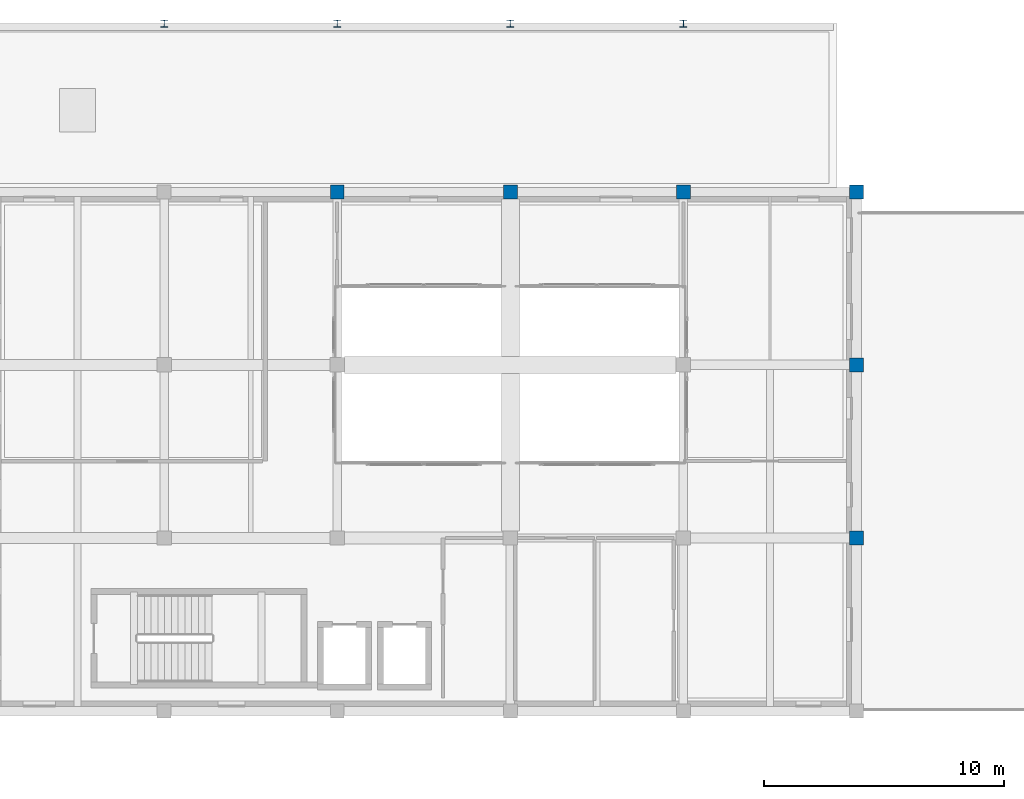
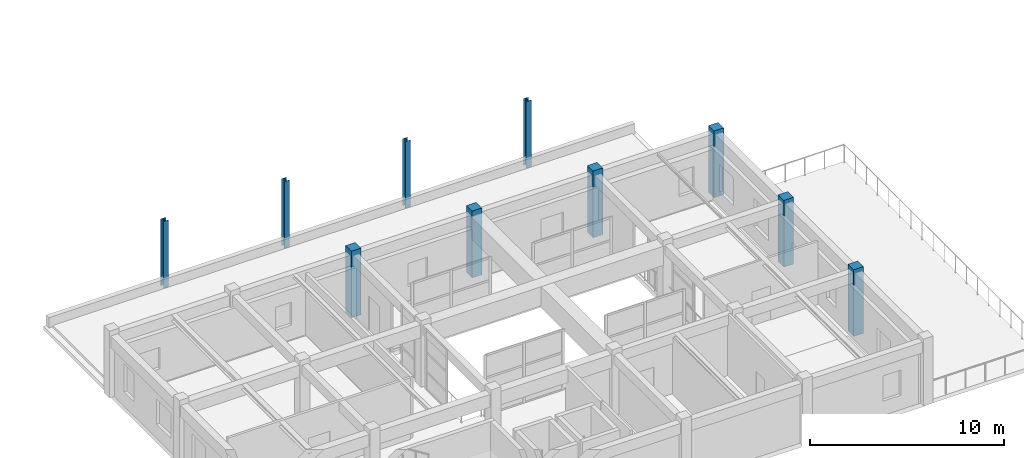
# One storey, part 4 of 99: 10 columns.
"""IFC4 building model written with IfcOpenShell, lengths in metres."""

from ifc_helpers import new_model, si_unit, direction, frame, origin, origin_2d, place, context, subcontext, project, spatial, rectangle, i_section, extrude, material, material_profile, profile_set, type_object, element, save


model = new_model("IFC4")

# Units and contexts
model_context = context("Model", 3, precision=1e-05, world=origin(), true_north=direction((0.0, 1.0)))
body_context = subcontext(model_context, "Body", "Model", "MODEL_VIEW")
ifc_project = project(units=[si_unit("LENGTHUNIT", "METRE"), si_unit("AREAUNIT", "SQUARE_METRE"), si_unit("VOLUMEUNIT", "CUBIC_METRE"), si_unit("PLANEANGLEUNIT", "RADIAN"), si_unit("MASSUNIT", "GRAM", prefix="KILO")], contexts=[model_context])

# Site, building, storey
site_placement = place(None, origin())
site = spatial("IfcSite", under=ifc_project, at=site_placement, CompositionType="ELEMENT")
building_placement = place(site_placement, origin())
building = spatial("IfcBuilding", under=site, at=building_placement, Name="Bramveld Media Centre", CompositionType="ELEMENT")
storey_placement = place(building_placement, frame((0.0, 0.0, 13.800048828125)))
storey = spatial("IfcBuildingStorey", under=building, at=storey_placement, Name="L03", CompositionType="ELEMENT", Elevation=13.800048828125)

# Columns
ifc_material_1 = material(Name="Concrete C40/50", Category="concrete")
ifc_material_profile_1 = material_profile(ifc_material_1, rectangle(XDim=0.580078125, YDim=0.580078125, at=origin_2d()), Name="RC 580x580")
ifc_profile_set_1 = profile_set([ifc_material_profile_1], Name="Concrete C40/50")
column_type_1 = type_object("IfcColumnType", Name="COL-EXT-RC-580x580", PredefinedType="COLUMN", material=ifc_profile_set_1)
for number, where, z_axis, x_axis, name in (
    (1, (80.0, 112.0, 0.0), (0.0, 0.0, 1.0), (1.0, 0.0, 0.0), "V6 L03 column RC 580x580"),
    (2, (87.199951171875, 112.0, 0.0), (0.0, 0.0, 1.0), (1.0, 0.0, 0.0), "V6 L03 column RC 580x580"),
    (3, (94.39990234375, 112.0, 0.0), (0.0, 0.0, 1.0), (1.0, 0.0, 0.0), "V6 L03 column RC 580x580"),
    (4, (101.60009765625, 97.60009765625, 0.0), (0.0, 0.0, 1.0), (1.0, 0.0, 0.0), "V6 L03 column RC 580x580"),
    (5, (101.60009765625, 104.800048828125, 0.0), (0.0, 0.0, 1.0), (1.0, 0.0, 0.0), "V6 L03 column RC 580x580"),
    (6, (101.60009765625, 112.0, 0.0), (0.0, 0.0, 1.0), (1.0, 0.0, 0.0), "V6 L03 column RC 580x580"),
):
    element("IfcColumn", number, at=place(storey_placement, frame(where, z_axis=z_axis, x_axis=x_axis)), inside=storey, type_object=column_type_1, Name=name, PredefinedType="COLUMN", context=body_context, shape_type="SweptSolid", body=[
        extrude(rectangle(XDim=0.580078125, YDim=0.580078125, at=origin_2d()), origin(), (0.0, 0.0, 1.0), 4.199951171875),
    ])
ifc_material_2 = material(Name="Steel S355J2", Category="steel")
ifc_material_profile_2 = material_profile(ifc_material_2, i_section(OverallWidth=0.300048828125, OverallDepth=0.300048828125, WebThickness=0.010986328125, FlangeThickness=0.01904296875, FilletRadius=0.027099609375, at=origin_2d()), Name="HEB 300")
ifc_profile_set_2 = profile_set([ifc_material_profile_2], Name="Steel S355J2")
column_type_2 = type_object("IfcColumnType", Name="SCOL-EXT-HEB-300", PredefinedType="COLUMN", material=ifc_profile_set_2)
for number, where, z_axis, x_axis, name in (
    (7, (72.800048828125, 119.0, 0.0), (0.0, 0.0, 1.0), (1.0, 0.0, 0.0), "V6LOG L03 loggia support column"),
    (8, (80.0, 119.0, 0.0), (0.0, 0.0, 1.0), (1.0, 0.0, 0.0), "V6LOG L03 loggia support column"),
    (9, (87.199951171875, 119.0, 0.0), (0.0, 0.0, 1.0), (1.0, 0.0, 0.0), "V6LOG L03 loggia support column"),
    (10, (94.39990234375, 119.0, 0.0), (0.0, 0.0, 1.0), (1.0, 0.0, 0.0), "V6LOG L03 loggia support column"),
):
    element("IfcColumn", number, at=place(storey_placement, frame(where, z_axis=z_axis, x_axis=x_axis)), inside=storey, type_object=column_type_2, Name=name, PredefinedType="COLUMN", context=body_context, shape_type="SweptSolid", body=[
        extrude(i_section(OverallWidth=0.300048828125, OverallDepth=0.300048828125, WebThickness=0.010986328125, FlangeThickness=0.01904296875, FilletRadius=0.027099609375, at=origin_2d()), origin(), (0.0, 0.0, 1.0), 4.199951171875),
    ])

save(model, "model.ifc")
